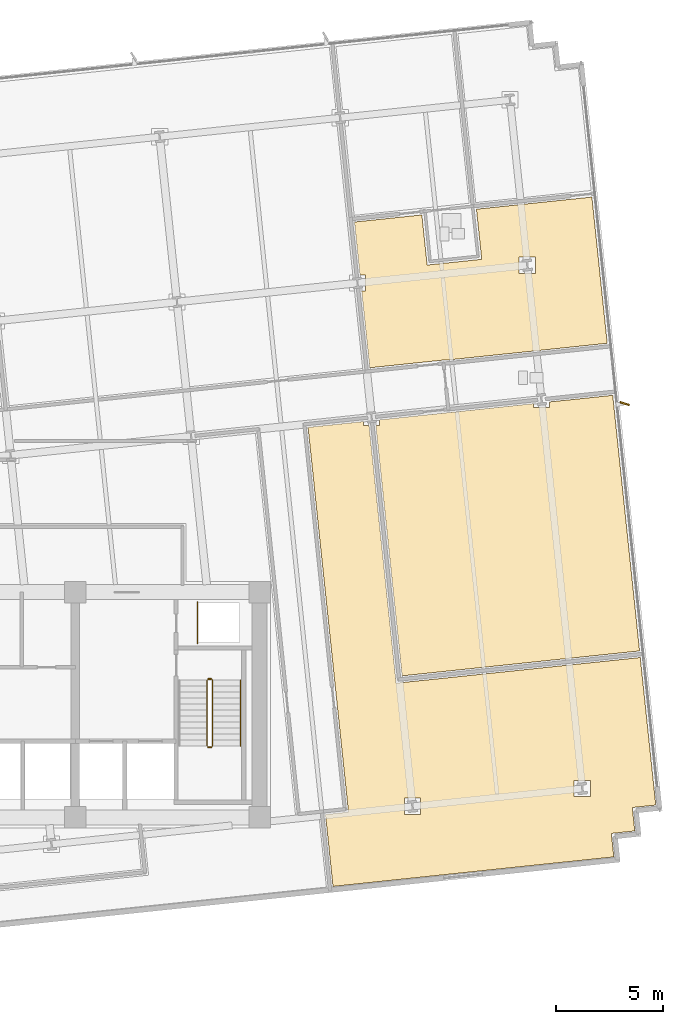
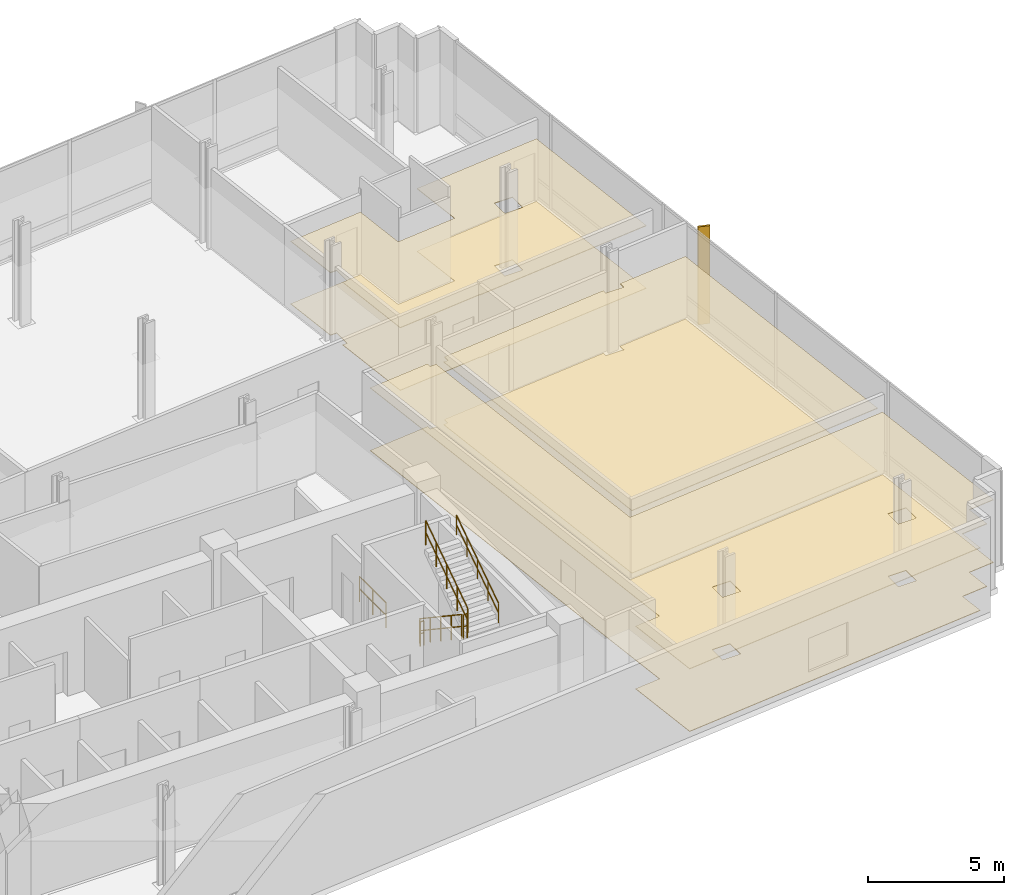
# One storey, part 18 of 20: 6 coverings, 6 railings, 1 shading device.
"""IFC4 building model written with IfcOpenShell, lengths in metres."""

from ifc_helpers import new_model, si_unit, direction, frame, origin, origin_2d, place, context, subcontext, project, spatial, polyline, rectangle, circle, outline, extrude, material, layer, layer_set, type_object, element, save


model = new_model("IFC4")

# Units and contexts
model_context = context("Model", 3, precision=1e-05, world=origin(), true_north=direction((0.0, 1.0)))
body_context = subcontext(model_context, "Body", "Model", "MODEL_VIEW")
ifc_project = project(units=[si_unit("LENGTHUNIT", "METRE"), si_unit("AREAUNIT", "SQUARE_METRE"), si_unit("VOLUMEUNIT", "CUBIC_METRE"), si_unit("PLANEANGLEUNIT", "RADIAN"), si_unit("MASSUNIT", "GRAM", prefix="KILO")], contexts=[model_context])

# Site, building, storey
site_placement = place(None, origin())
site = spatial("IfcSite", under=ifc_project, at=site_placement, CompositionType="ELEMENT")
building_placement = place(site_placement, origin())
building = spatial("IfcBuilding", under=site, at=building_placement, Name="Solmavex Isthmus Hotel", CompositionType="ELEMENT")
storey_placement = place(building_placement, frame((0.0, 0.0, 101.85009765625)))
storey = spatial("IfcBuildingStorey", under=building, at=storey_placement, Name="L27", CompositionType="ELEMENT", Elevation=101.85009765625)

# Coverings
ifc_material_1 = material(Name="Gypsum plasterboard lining", Category="gypsum")
ifc_layer_1 = layer(ifc_material_1, 0.030029296875)
ifc_layer_set_1 = layer_set([ifc_layer_1], Name="Gypsum plasterboard lining")
covering_type_1 = type_object("IfcCoveringType", Name="COV-CEIL-GYP", PredefinedType="CEILING", material=ifc_layer_set_1)
covering_1_placement = place(storey_placement, frame((0.0, 0.0, 2.7998046875)))
element("IfcCovering", 1, at=covering_1_placement, inside=storey, type_object=covering_type_1, Name="Suspended Acoustic Ceiling L27-SH04-LV", PredefinedType="CEILING", context=body_context, shape_type="SweptSolid", body=[
    extrude(outline(polyline([(23.56494140625, 15.09814453125), (20.418212890625, 14.767578125), (20.67724609375, 12.3017578125), (20.94140625, 12.3017578125), (20.94140625, 11.541748046875), (20.75732421875, 11.541748046875), (21.133056640625, 7.967041015625), (24.713134765625, 8.34326171875), (24.71533203125, 8.3232421875), (32.2119140625, 9.111328125), (31.4951171875, 15.931640625), (26.11083984375, 15.36572265625), (26.3564453125, 13.028564453125), (23.810546875, 12.760986328125), (23.56494140625, 15.09814453125)]), holes=[polyline([(28.105712890625, 12.374755859375), (28.105712890625, 13.134765625), (28.86572265625, 13.134765625), (28.86572265625, 12.374755859375), (28.105712890625, 12.374755859375)])]), origin(), (0.0, 0.0, 1.0), 0.030029296875),
])
covering_2_placement = place(storey_placement, frame((0.0, 0.0, 2.7998046875)))
element("IfcCovering", 2, at=covering_2_placement, inside=storey, type_object=covering_type_1, Name="Suspended Acoustic Ceiling L27-FL09", PredefinedType="CEILING", context=body_context, shape_type="SweptSolid", body=[
    extrude(outline(polyline([(29.524169921875, 6.375244140625), (29.524169921875, 6.111328125), (28.76416015625, 6.111328125), (28.76416015625, 6.29541015625), (24.816162109375, 5.880615234375), (21.599609375, 5.54248046875), (21.599609375, 5.2783203125), (21.41552734375, 5.2783203125), (22.643310546875, -6.40380859375), (33.720458984375, -5.23974609375), (32.467041015625, 6.6845703125), (29.524169921875, 6.375244140625)])), origin(), (0.0, 0.0, 1.0), 0.030029296875),
])
covering_3_placement = place(storey_placement, frame((0.0, 0.0, 2.7998046875)))
element("IfcCovering", 3, at=covering_3_placement, inside=storey, type_object=covering_type_1, Name="Suspended Acoustic Ceiling L27-FL12", PredefinedType="CEILING", context=body_context, shape_type="SweptSolid", body=[
    extrude(outline(polyline([(21.103759765625, 5.2783203125), (20.83984375, 5.2783203125), (20.83984375, 5.462646484375), (18.25439453125, 5.19091796875), (20.14111328125, -12.76025390625), (19.068115234375, -12.873046875), (19.420166015625, -16.224609375), (23.474853515625, -15.79833984375), (31.69775390625, -14.93408203125), (32.51806640625, -14.847900390625), (32.403076171875, -13.75390625), (33.4970703125, -13.638916015625), (33.447509765625, -13.16650390625), (33.382080078125, -12.544921875), (34.47607421875, -12.429931640625), (34.389892578125, -11.609619140625), (33.752685546875, -5.5478515625), (22.367431640625, -6.74462890625), (21.103759765625, 5.2783203125)]), holes=[polyline([(30.671630859375, -12.038818359375), (30.671630859375, -11.27880859375), (31.431640625, -11.27880859375), (31.431640625, -12.038818359375), (30.671630859375, -12.038818359375)]), polyline([(22.747314453125, -12.87158203125), (22.747314453125, -12.111572265625), (23.50732421875, -12.111572265625), (23.50732421875, -12.87158203125), (22.747314453125, -12.87158203125)])]), origin(), (0.0, 0.0, 1.0), 0.030029296875),
])
ifc_material_2 = material(Name="Travertine natural stone", Category="masonry")
ifc_layer_2 = layer(ifc_material_2, 0.02490234375)
ifc_layer_set_2 = layer_set([ifc_layer_2], Name="Travertine natural stone")
covering_type_2 = type_object("IfcCoveringType", Name="COV-FLOR-STN", PredefinedType="FLOORING", material=ifc_layer_set_2)
covering_4_placement = place(storey_placement, origin())
element("IfcCovering", 4, at=covering_4_placement, inside=storey, type_object=covering_type_2, Name="Stone and Timber Floor Finish L27-SH04-LV", PredefinedType="FLOORING", context=body_context, shape_type="SweptSolid", body=[
    extrude(outline(polyline([(23.56494140625, 15.09814453125), (20.418212890625, 14.767578125), (20.67724609375, 12.3017578125), (20.94140625, 12.3017578125), (20.94140625, 11.541748046875), (20.75732421875, 11.541748046875), (21.133056640625, 7.967041015625), (24.713134765625, 8.34326171875), (24.71533203125, 8.3232421875), (32.2119140625, 9.111328125), (31.4951171875, 15.931640625), (26.11083984375, 15.36572265625), (26.3564453125, 13.028564453125), (23.810546875, 12.760986328125), (23.56494140625, 15.09814453125)]), holes=[polyline([(28.105712890625, 12.374755859375), (28.105712890625, 13.134765625), (28.86572265625, 13.134765625), (28.86572265625, 12.374755859375), (28.105712890625, 12.374755859375)])]), origin(), (0.0, 0.0, 1.0), 0.02490234375),
])
covering_5_placement = place(storey_placement, origin())
element("IfcCovering", 5, at=covering_5_placement, inside=storey, type_object=covering_type_2, Name="Stone and Timber Floor Finish L27-FL09", PredefinedType="FLOORING", context=body_context, shape_type="SweptSolid", body=[
    extrude(outline(polyline([(29.524169921875, 6.375244140625), (29.524169921875, 6.111328125), (28.76416015625, 6.111328125), (28.76416015625, 6.29541015625), (24.816162109375, 5.880615234375), (21.599609375, 5.54248046875), (21.599609375, 5.2783203125), (21.41552734375, 5.2783203125), (22.643310546875, -6.40380859375), (33.720458984375, -5.23974609375), (32.467041015625, 6.6845703125), (29.524169921875, 6.375244140625)])), origin(), (0.0, 0.0, 1.0), 0.02490234375),
])
covering_6_placement = place(storey_placement, origin())
element("IfcCovering", 6, at=covering_6_placement, inside=storey, type_object=covering_type_2, Name="Stone and Timber Floor Finish L27-FL12", PredefinedType="FLOORING", context=body_context, shape_type="SweptSolid", body=[
    extrude(outline(polyline([(21.103759765625, 5.2783203125), (20.83984375, 5.2783203125), (20.83984375, 5.462646484375), (18.25439453125, 5.19091796875), (20.14111328125, -12.76025390625), (19.068115234375, -12.873046875), (19.420166015625, -16.224609375), (23.474853515625, -15.79833984375), (31.69775390625, -14.93408203125), (32.51806640625, -14.847900390625), (32.403076171875, -13.75390625), (33.4970703125, -13.638916015625), (33.447509765625, -13.16650390625), (33.382080078125, -12.544921875), (34.47607421875, -12.429931640625), (34.389892578125, -11.609619140625), (33.752685546875, -5.5478515625), (22.367431640625, -6.74462890625), (21.103759765625, 5.2783203125)]), holes=[polyline([(30.671630859375, -12.038818359375), (30.671630859375, -11.27880859375), (31.431640625, -11.27880859375), (31.431640625, -12.038818359375), (30.671630859375, -12.038818359375)]), polyline([(22.747314453125, -12.87158203125), (22.747314453125, -12.111572265625), (23.50732421875, -12.111572265625), (23.50732421875, -12.87158203125), (22.747314453125, -12.87158203125)])]), origin(), (0.0, 0.0, 1.0), 0.02490234375),
])

# Railings
ifc_material_3 = material(Name="Clear low-E laminated glass", Category="glass")
ifc_layer_3 = layer(ifc_material_3, 0.080078125)
ifc_layer_set_3 = layer_set([ifc_layer_3], Name="Clear low-E laminated glass")
railing_type_1 = type_object("IfcRailingType", Name="RAIL-ATRIUM-1120", PredefinedType="BALUSTRADE", material=ifc_layer_set_3)
railing_1_placement = place(storey_placement, frame((13.10009765625, -4.89990234375, 0.0)))
element("IfcRailing", 7, at=railing_1_placement, inside=storey, type_object=railing_type_1, Name="Guardrail Balustrade L27-RSE-01", PredefinedType="BALUSTRADE", context=body_context, shape_type="SweptSolid", body=[
    extrude(circle(Radius=0.02392578125, at=origin_2d()), frame((0.0, 0.0, 1.1259765625), z_axis=(0.0, 1.0, 0.0), x_axis=(-1.0, 0.0, 0.0)), (0.0, 0.0, 1.0), 1.949951171875),
    extrude(circle(Radius=0.02392578125, at=origin_2d()), frame((0.0, 0.0, 0.574951171875), z_axis=(0.0, 1.0, 0.0), x_axis=(-1.0, 0.0, 0.0)), (0.0, 0.0, 1.0), 1.949951171875),
    extrude(circle(Radius=0.02099609375, at=origin_2d()), origin(), (0.0, 0.0, 1.0), 1.101806640625),
    extrude(circle(Radius=0.02099609375, at=origin_2d()), frame((0.0, 0.97509765625, 0.0)), (0.0, 0.0, 1.0), 1.101806640625),
    extrude(circle(Radius=0.02099609375, at=origin_2d()), frame((0.0, 1.949951171875, 0.0)), (0.0, 0.0, 1.0), 1.101806640625),
])
ifc_material_4 = material(Name="Stainless steel 316", Category="steel")
ifc_layer_4 = layer(ifc_material_4, 0.06005859375)
ifc_layer_set_4 = layer_set([ifc_layer_4], Name="Stainless steel 316")
railing_type_2 = type_object("IfcRailingType", Name="RAIL-STAIR-GD", PredefinedType="GUARDRAIL", material=ifc_layer_set_4)
railing_2_placement = place(storey_placement, frame((13.550048828125, -6.60009765625, 0.1875)))
element("IfcRailing", 8, at=railing_2_placement, inside=storey, type_object=railing_type_2, Name="L27 ST-2 stair guard 1", PredefinedType="GUARDRAIL", context=body_context, shape_type="SweptSolid", body=[
    extrude(circle(Radius=0.02392578125, at=origin_2d()), frame((0.0, 0.0, 1.09619140625), z_axis=(0.0, -0.830893310487, 0.556431762742), x_axis=(1.0, 0.0, 0.0)), (0.0, 0.0, 1.0), 3.70654296875),
    extrude(circle(Radius=0.02392578125, at=origin_2d()), frame((0.0, 0.0, 0.56005859375), z_axis=(0.0, -0.830893310487, 0.556431762742), x_axis=(1.0, 0.0, 0.0)), (0.0, 0.0, 1.0), 3.70654296875),
    extrude(circle(Radius=0.02099609375, at=origin_2d()), origin(), (0.0, 0.0, 1.0), 1.072021484375),
    extrude(circle(Radius=0.02099609375, at=origin_2d()), frame((0.0, -0.77001953125, 0.515625)), (0.0, 0.0, 1.0), 1.072021484375),
    extrude(circle(Radius=0.02099609375, at=origin_2d()), frame((0.0, -1.5400390625, 1.03125)), (0.0, 0.0, 1.0), 1.072021484375),
    extrude(circle(Radius=0.02099609375, at=origin_2d()), frame((0.0, -2.309814453125, 1.546875)), (0.0, 0.0, 1.0), 1.072021484375),
    extrude(circle(Radius=0.02099609375, at=origin_2d()), frame((0.0, -3.079833984375, 2.0625)), (0.0, 0.0, 1.0), 1.072021484375),
])
railing_3_placement = place(storey_placement, frame((13.60009765625, -9.72998046875, 2.25)))
element("IfcRailing", 9, at=railing_3_placement, inside=storey, type_object=railing_type_2, Name="L27 ST-2 stair guard 2", PredefinedType="GUARDRAIL", context=body_context, shape_type="SweptSolid", body=[
    extrude(circle(Radius=0.02392578125, at=origin_2d()), frame((0.0, 0.0, 1.09619140625), z_axis=(1.0, 0.0, 0.0), x_axis=(0.0, 1.0, 0.0)), (0.0, 0.0, 1.0), 0.14990234375),
    extrude(circle(Radius=0.02392578125, at=origin_2d()), frame((0.0, 0.0, 0.56005859375), z_axis=(1.0, 0.0, 0.0), x_axis=(0.0, 1.0, 0.0)), (0.0, 0.0, 1.0), 0.14990234375),
    extrude(circle(Radius=0.02099609375, at=origin_2d()), origin(), (0.0, 0.0, 1.0), 1.072021484375),
    extrude(circle(Radius=0.02099609375, at=origin_2d()), frame((0.14990234375, 0.0, 0.0)), (0.0, 0.0, 1.0), 1.072021484375),
])
railing_4_placement = place(storey_placement, frame((13.800048828125, -9.679931640625, 2.4375)))
element("IfcRailing", 10, at=railing_4_placement, inside=storey, type_object=railing_type_2, Name="L27 ST-2 stair guard 3", PredefinedType="GUARDRAIL", context=body_context, shape_type="SweptSolid", body=[
    extrude(circle(Radius=0.02392578125, at=origin_2d()), frame((0.0, 0.0, 1.09619140625), z_axis=(0.0, 0.830893310487, 0.556431762742), x_axis=(-1.0, 0.0, 0.0)), (0.0, 0.0, 1.0), 3.70654296875),
    extrude(circle(Radius=0.02392578125, at=origin_2d()), frame((0.0, 0.0, 0.56005859375), z_axis=(0.0, 0.830893310487, 0.556431762742), x_axis=(-1.0, 0.0, 0.0)), (0.0, 0.0, 1.0), 3.70654296875),
    extrude(circle(Radius=0.02099609375, at=origin_2d()), origin(), (0.0, 0.0, 1.0), 1.072021484375),
    extrude(circle(Radius=0.02099609375, at=origin_2d()), frame((0.0, 0.77001953125, 0.515625)), (0.0, 0.0, 1.0), 1.072021484375),
    extrude(circle(Radius=0.02099609375, at=origin_2d()), frame((0.0, 1.5400390625, 1.03125)), (0.0, 0.0, 1.0), 1.072021484375),
    extrude(circle(Radius=0.02099609375, at=origin_2d()), frame((0.0, 2.309814453125, 1.546875)), (0.0, 0.0, 1.0), 1.072021484375),
    extrude(circle(Radius=0.02099609375, at=origin_2d()), frame((0.0, 3.079833984375, 2.0625)), (0.0, 0.0, 1.0), 1.072021484375),
])
railing_5_placement = place(storey_placement, frame((13.60009765625, -6.550048828125, 0.0)))
element("IfcRailing", 11, at=railing_5_placement, inside=storey, type_object=railing_type_2, Name="L27 ST-2 stair guard 4", PredefinedType="GUARDRAIL", context=body_context, shape_type="SweptSolid", body=[
    extrude(circle(Radius=0.02392578125, at=origin_2d()), frame((0.0, 0.0, 1.09619140625), z_axis=(1.0, 0.0, 0.0), x_axis=(0.0, 1.0, 0.0)), (0.0, 0.0, 1.0), 0.14990234375),
    extrude(circle(Radius=0.02392578125, at=origin_2d()), frame((0.0, 0.0, 0.56005859375), z_axis=(1.0, 0.0, 0.0), x_axis=(0.0, 1.0, 0.0)), (0.0, 0.0, 1.0), 0.14990234375),
    extrude(circle(Radius=0.02099609375, at=origin_2d()), origin(), (0.0, 0.0, 1.0), 1.072021484375),
    extrude(circle(Radius=0.02099609375, at=origin_2d()), frame((0.14990234375, 0.0, 0.0)), (0.0, 0.0, 1.0), 1.072021484375),
])
ifc_layer_5 = layer(ifc_material_4, 0.050048828125)
ifc_layer_set_5 = layer_set([ifc_layer_5], Name="Stainless steel 316")
railing_type_3 = type_object("IfcRailingType", Name="RAIL-STAIR-HR", PredefinedType="HANDRAIL", material=ifc_layer_set_5)
railing_6_placement = place(storey_placement, frame((15.10009765625, -9.679931640625, 2.4375)))
element("IfcRailing", 12, at=railing_6_placement, inside=storey, type_object=railing_type_3, Name="L27 ST-2 stair handrail 2", PredefinedType="HANDRAIL", context=body_context, shape_type="SweptSolid", body=[
    extrude(circle(Radius=0.02392578125, at=origin_2d()), frame((0.0, 0.0, 0.8759765625), z_axis=(0.0, 0.830893310487, 0.556431762742), x_axis=(-1.0, 0.0, 0.0)), (0.0, 0.0, 1.0), 3.70654296875),
    extrude(circle(Radius=0.02392578125, at=origin_2d()), frame((0.0, 0.0, 0.449951171875), z_axis=(0.0, 0.830893310487, 0.556431762742), x_axis=(-1.0, 0.0, 0.0)), (0.0, 0.0, 1.0), 3.70654296875),
    extrude(circle(Radius=0.02099609375, at=origin_2d()), origin(), (0.0, 0.0, 1.0), 0.851806640625),
    extrude(circle(Radius=0.02099609375, at=origin_2d()), frame((0.0, 0.77001953125, 0.515625)), (0.0, 0.0, 1.0), 0.851806640625),
    extrude(circle(Radius=0.02099609375, at=origin_2d()), frame((0.0, 1.5400390625, 1.03125)), (0.0, 0.0, 1.0), 0.851806640625),
    extrude(circle(Radius=0.02099609375, at=origin_2d()), frame((0.0, 2.309814453125, 1.546875)), (0.0, 0.0, 1.0), 0.851806640625),
    extrude(circle(Radius=0.02099609375, at=origin_2d()), frame((0.0, 3.079833984375, 2.0625)), (0.0, 0.0, 1.0), 0.851806640625),
])

# Shading device
ifc_material_5 = material(Name="Aluminium alloy 6063-T6", Category="aluminium")
shading_device_type = type_object("IfcShadingDeviceType", Name="SHD-FIN-BRONZE", PredefinedType="USERDEFINED", material=ifc_material_5)
shading_device_placement = place(storey_placement, frame((33.02587890625, 6.2958984375, -0.14013671875), z_axis=(0.0, 0.0, 1.0), x_axis=(0.951056516295, -0.309016994375, 0.0)))
element("IfcShadingDevice", 13, at=shading_device_placement, inside=storey, type_object=shading_device_type, Name="Anodised Aluminium Solar Fin L27-E1", ObjectType="SOLAR_FIN", PredefinedType="USERDEFINED", context=body_context, shape_type="SweptSolid", body=[
    extrude(rectangle(XDim=0.449951171875, YDim=0.080078125, at=origin_2d()), origin(), (0.0, 0.0, 1.0), 4.3798828125),
])

save(model, "model.ifc")
